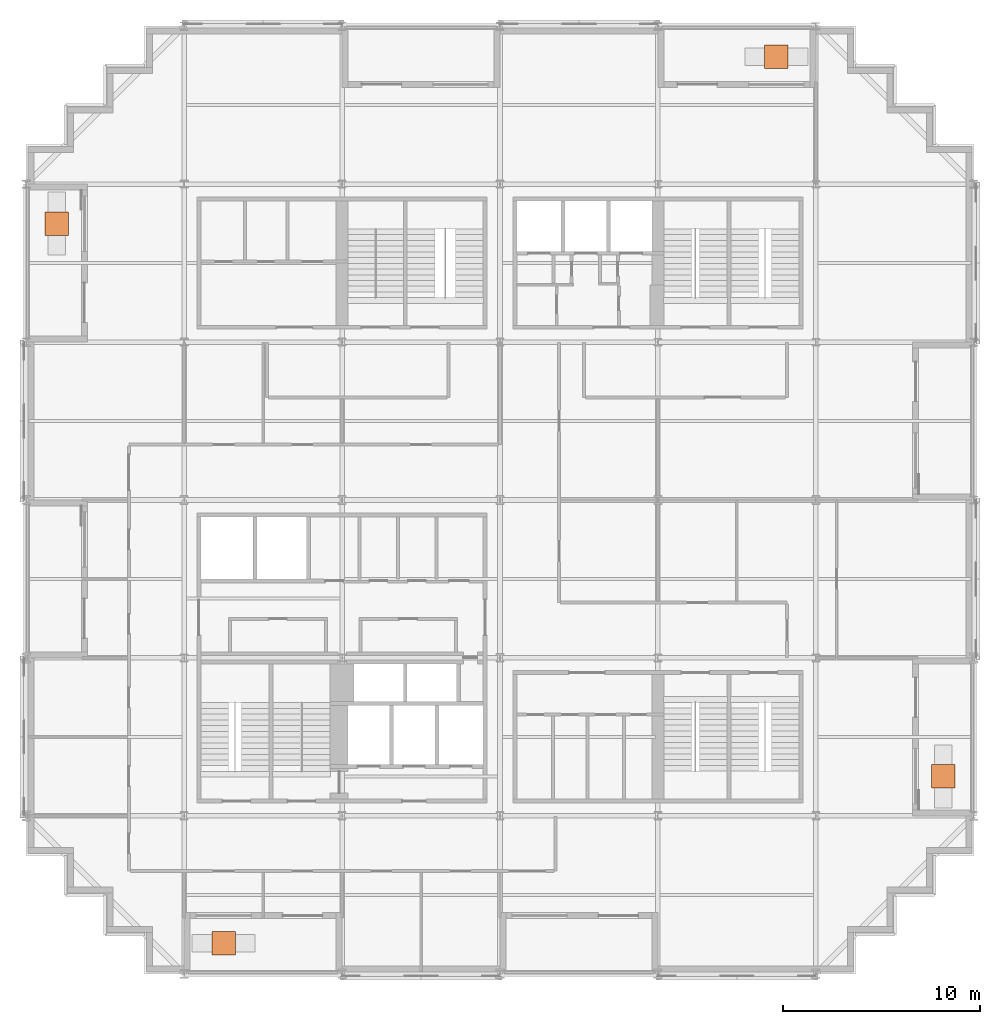
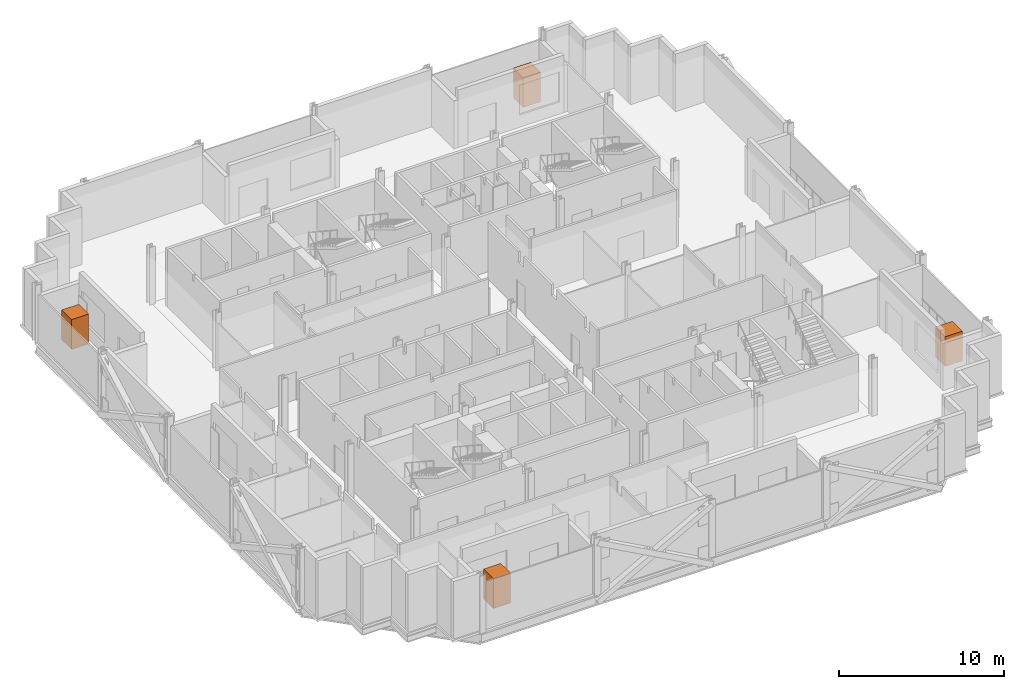
# One storey, part 15 of 15: 4 geographic elements.
"""IFC4 building model written with IfcOpenShell, lengths in metres."""

from ifc_helpers import new_model, si_unit, direction, frame, origin, origin_2d, place, context, subcontext, project, spatial, rectangle, extrude, material, type_object, element, save


model = new_model("IFC4")

# Units and contexts
model_context = context("Model", 3, precision=1e-05, world=origin(), true_north=direction((0.0, 1.0)))
body_context = subcontext(model_context, "Body", "Model", "MODEL_VIEW")
ifc_project = project(units=[si_unit("LENGTHUNIT", "METRE"), si_unit("AREAUNIT", "SQUARE_METRE"), si_unit("VOLUMEUNIT", "CUBIC_METRE"), si_unit("PLANEANGLEUNIT", "RADIAN"), si_unit("MASSUNIT", "GRAM", prefix="KILO")], contexts=[model_context])

# Site, building, storey
site_placement = place(None, origin())
site = spatial("IfcSite", under=ifc_project, at=site_placement, CompositionType="ELEMENT")
building_placement = place(site_placement, origin())
building = spatial("IfcBuilding", under=site, at=building_placement, Name="Immortelle Media Tower", CompositionType="ELEMENT")
storey_placement = place(building_placement, frame((0.0, 0.0, 78.800048828125)))
storey = spatial("IfcBuildingStorey", under=building, at=storey_placement, Name="L14", CompositionType="ELEMENT", Elevation=78.800048828125)

# Geographic elements
ifc_material = material(Name="Tree canopy foliage")
geographic_element_type = type_object("IfcGeographicElementType", Name="Tree", PredefinedType="USERDEFINED", material=ifc_material)
for number, where, z_axis, x_axis, name in (
    (1, (1.550048828125, 38.0, 0.60009765625), (0.0, 0.0, 1.0), (1.0, 0.0, 0.0), "Tree L14 W0"),
    (2, (10.0, 1.550048828125, 0.60009765625), (0.0, 0.0, 1.0), (1.0, 0.0, 0.0), "Tree L14 S0"),
    (3, (46.449951171875, 10.0, 0.60009765625), (0.0, 0.0, 1.0), (1.0, 0.0, 0.0), "Tree L14 E0"),
    (4, (38.0, 46.449951171875, 0.60009765625), (0.0, 0.0, 1.0), (1.0, 0.0, 0.0), "Tree L14 N0"),
):
    element("IfcGeographicElement", number, at=place(storey_placement, frame(where, z_axis=z_axis, x_axis=x_axis)), inside=storey, type_object=geographic_element_type, Name=name, ObjectType="Tree", PredefinedType="USERDEFINED", context=body_context, shape_type="SweptSolid", body=[
        extrude(rectangle(XDim=1.199951171875, YDim=1.199951171875, at=origin_2d()), origin(), (0.0, 0.0, 1.0), 2.199951171875),
    ])

save(model, "model.ifc")
